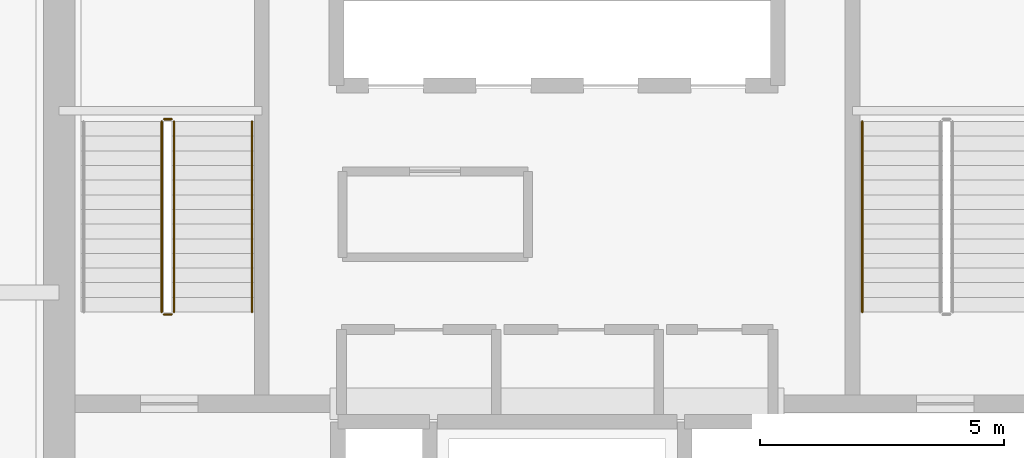
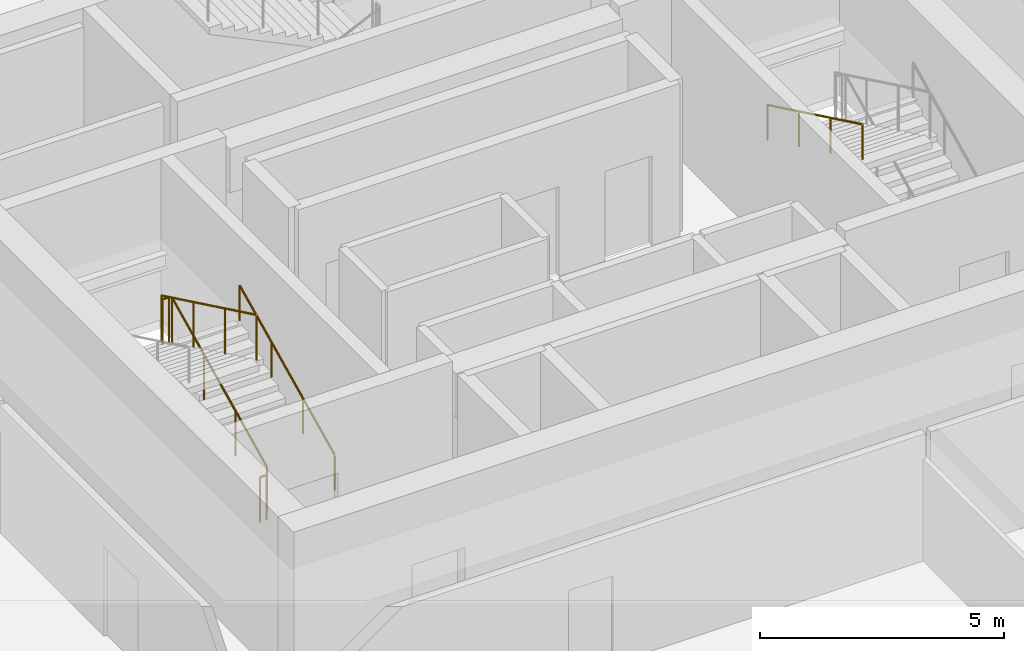
# One storey, part 33 of 36: 6 railings.
"""IFC4 building model written with IfcOpenShell, lengths in metres."""

from ifc_helpers import new_model, si_unit, direction, frame, origin, origin_2d, place, context, subcontext, project, spatial, circle, extrude, material, type_object, element, save


model = new_model("IFC4")

# Units and contexts
model_context = context("Model", 3, precision=1e-05, world=origin(), true_north=direction((0.0, 1.0)))
body_context = subcontext(model_context, "Body", "Model", "MODEL_VIEW")
ifc_project = project(units=[si_unit("LENGTHUNIT", "METRE"), si_unit("AREAUNIT", "SQUARE_METRE"), si_unit("VOLUMEUNIT", "CUBIC_METRE"), si_unit("PLANEANGLEUNIT", "RADIAN"), si_unit("MASSUNIT", "GRAM", prefix="KILO")], contexts=[model_context])

# Site, building, storey
site_placement = place(None, origin())
site = spatial("IfcSite", under=ifc_project, at=site_placement, CompositionType="ELEMENT")
building_placement = place(site_placement, origin())
building = spatial("IfcBuilding", under=site, at=building_placement, Name="Punatoya Terracotta Tower", CompositionType="ELEMENT")
storey_placement = place(building_placement, frame((0.0, 0.0, 180.300048828125)))
storey = spatial("IfcBuildingStorey", under=building, at=storey_placement, Name="L42", CompositionType="ELEMENT", Elevation=180.300048828125)

# Railings
ifc_material = material(Name="Steel S355", Category="steel")
railing_type_1 = type_object("IfcRailingType", Name="RLG-GRD-1150", PredefinedType="GUARDRAIL", material=ifc_material)
railing_1_placement = place(storey_placement, frame((-7.85009765625, -3.800048828125, 0.14453125)))
element("IfcRailing", 1, at=railing_1_placement, inside=storey, type_object=railing_type_1, Name="L42 ST-1 stair guard 1", PredefinedType="GUARDRAIL", context=body_context, shape_type="SweptSolid", body=[
    extrude(circle(Radius=0.02392578125, at=origin_2d()), frame((0.0, 0.0, 1.1259765625), z_axis=(0.0, 0.900773802044, 0.434288564841), x_axis=(-1.0, 0.0, 0.0)), (0.0, 0.0, 1.0), 4.329833984375),
    extrude(circle(Radius=0.02099609375, at=origin_2d()), origin(), (0.0, 0.0, 1.0), 1.101806640625),
    extrude(circle(Radius=0.02099609375, at=origin_2d()), frame((0.0, 1.300048828125, 0.626708984375)), (0.0, 0.0, 1.0), 1.101806640625),
    extrude(circle(Radius=0.02099609375, at=origin_2d()), frame((0.0, 2.60009765625, 1.253662109375)), (0.0, 0.0, 1.0), 1.101806640625),
    extrude(circle(Radius=0.02099609375, at=origin_2d()), frame((0.0, 3.900146484375, 1.88037109375)), (0.0, 0.0, 1.0), 1.101806640625),
])
railing_2_placement = place(storey_placement, frame((-7.89990234375, 0.14990234375, 2.02490234375)))
element("IfcRailing", 2, at=railing_2_placement, inside=storey, type_object=railing_type_1, Name="L42 ST-1 stair guard 2", PredefinedType="GUARDRAIL", context=body_context, shape_type="SweptSolid", body=[
    extrude(circle(Radius=0.02392578125, at=origin_2d()), frame((0.0, 0.0, 1.1259765625), z_axis=(-1.0, 0.0, 0.0), x_axis=(0.0, -1.0, 0.0)), (0.0, 0.0, 1.0), 0.150146484375),
    extrude(circle(Radius=0.02099609375, at=origin_2d()), origin(), (0.0, 0.0, 1.0), 1.101806640625),
    extrude(circle(Radius=0.02099609375, at=origin_2d()), frame((-0.150146484375, 0.0, 0.0)), (0.0, 0.0, 1.0), 1.101806640625),
])
railing_3_placement = place(storey_placement, frame((-8.10009765625, 0.10009765625, 2.169677734375)))
element("IfcRailing", 3, at=railing_3_placement, inside=storey, type_object=railing_type_1, Name="L42 ST-1 stair guard 3", PredefinedType="GUARDRAIL", context=body_context, shape_type="SweptSolid", body=[
    extrude(circle(Radius=0.02392578125, at=origin_2d()), frame((0.0, 0.0, 1.1259765625), z_axis=(0.0, -0.900773802044, 0.434288564841), x_axis=(1.0, 0.0, 0.0)), (0.0, 0.0, 1.0), 4.329833984375),
    extrude(circle(Radius=0.02099609375, at=origin_2d()), origin(), (0.0, 0.0, 1.0), 1.101806640625),
    extrude(circle(Radius=0.02099609375, at=origin_2d()), frame((0.0, -1.300048828125, 0.626708984375)), (0.0, 0.0, 1.0), 1.101806640625),
    extrude(circle(Radius=0.02099609375, at=origin_2d()), frame((0.0, -2.60009765625, 1.253662109375)), (0.0, 0.0, 1.0), 1.101806640625),
    extrude(circle(Radius=0.02099609375, at=origin_2d()), frame((0.0, -3.900146484375, 1.88037109375)), (0.0, 0.0, 1.0), 1.101806640625),
])
railing_4_placement = place(storey_placement, frame((-7.89990234375, -3.85009765625, 0.0)))
element("IfcRailing", 4, at=railing_4_placement, inside=storey, type_object=railing_type_1, Name="L42 ST-1 stair guard 4", PredefinedType="GUARDRAIL", context=body_context, shape_type="SweptSolid", body=[
    extrude(circle(Radius=0.02392578125, at=origin_2d()), frame((0.0, 0.0, 1.1259765625), z_axis=(-1.0, 0.0, 0.0), x_axis=(0.0, -1.0, 0.0)), (0.0, 0.0, 1.0), 0.150146484375),
    extrude(circle(Radius=0.02099609375, at=origin_2d()), origin(), (0.0, 0.0, 1.0), 1.101806640625),
    extrude(circle(Radius=0.02099609375, at=origin_2d()), frame((-0.150146484375, 0.0, 0.0)), (0.0, 0.0, 1.0), 1.101806640625),
])
railing_type_2 = type_object("IfcRailingType", Name="RLG-HND-900", PredefinedType="HANDRAIL", material=ifc_material)
railing_5_placement = place(storey_placement, frame((-6.25, -3.800048828125, 0.14453125)))
element("IfcRailing", 5, at=railing_5_placement, inside=storey, type_object=railing_type_2, Name="L42 ST-1 stair handrail 1", PredefinedType="HANDRAIL", context=body_context, shape_type="SweptSolid", body=[
    extrude(circle(Radius=0.02392578125, at=origin_2d()), frame((0.0, 0.0, 0.8759765625), z_axis=(0.0, 0.900773802044, 0.434288564841), x_axis=(-1.0, 0.0, 0.0)), (0.0, 0.0, 1.0), 4.329833984375),
    extrude(circle(Radius=0.02099609375, at=origin_2d()), origin(), (0.0, 0.0, 1.0), 0.851806640625),
    extrude(circle(Radius=0.02099609375, at=origin_2d()), frame((0.0, 1.300048828125, 0.626708984375)), (0.0, 0.0, 1.0), 0.851806640625),
    extrude(circle(Radius=0.02099609375, at=origin_2d()), frame((0.0, 2.60009765625, 1.253662109375)), (0.0, 0.0, 1.0), 0.851806640625),
    extrude(circle(Radius=0.02099609375, at=origin_2d()), frame((0.0, 3.900146484375, 1.88037109375)), (0.0, 0.0, 1.0), 0.851806640625),
])
railing_6_placement = place(storey_placement, frame((6.25, 0.10009765625, 2.169677734375)))
element("IfcRailing", 6, at=railing_6_placement, inside=storey, type_object=railing_type_2, Name="L42 ST-2 stair handrail 2", PredefinedType="HANDRAIL", context=body_context, shape_type="SweptSolid", body=[
    extrude(circle(Radius=0.02392578125, at=origin_2d()), frame((0.0, 0.0, 0.8759765625), z_axis=(0.0, -0.900773802044, 0.434288564841), x_axis=(1.0, 0.0, 0.0)), (0.0, 0.0, 1.0), 4.329833984375),
    extrude(circle(Radius=0.02099609375, at=origin_2d()), origin(), (0.0, 0.0, 1.0), 0.851806640625),
    extrude(circle(Radius=0.02099609375, at=origin_2d()), frame((0.0, -1.300048828125, 0.626708984375)), (0.0, 0.0, 1.0), 0.851806640625),
    extrude(circle(Radius=0.02099609375, at=origin_2d()), frame((0.0, -2.60009765625, 1.253662109375)), (0.0, 0.0, 1.0), 0.851806640625),
    extrude(circle(Radius=0.02099609375, at=origin_2d()), frame((0.0, -3.900146484375, 1.88037109375)), (0.0, 0.0, 1.0), 0.851806640625),
])

save(model, "model.ifc")
